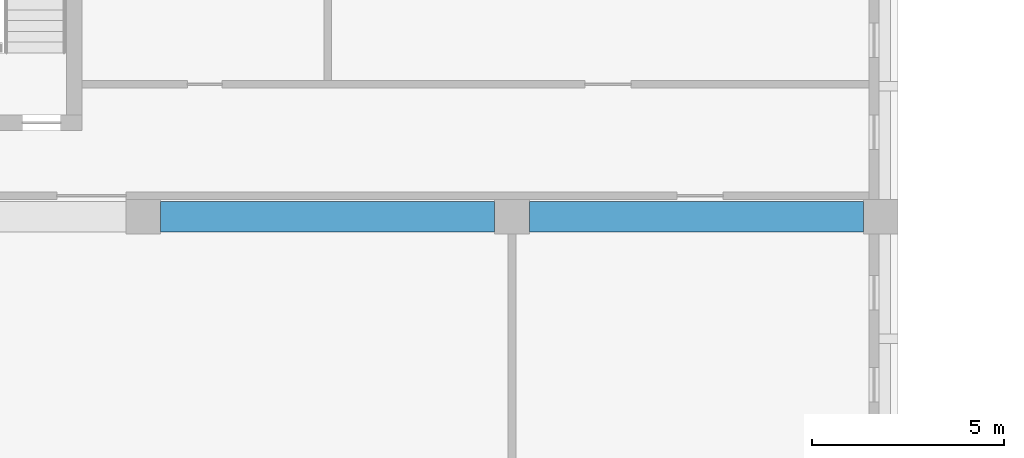
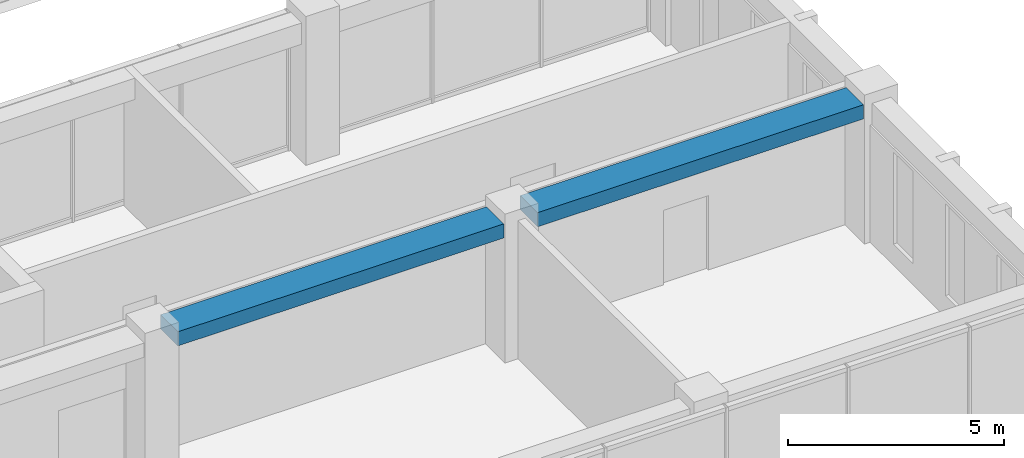
# One storey, part 13 of 37: 2 beams.
"""IFC4 building model written with IfcOpenShell, lengths in metres."""

from ifc_helpers import new_model, si_unit, direction, frame, origin, origin_2d, place, context, subcontext, project, spatial, rectangle, extrude, material, material_profile, profile_set, type_object, element, save


model = new_model("IFC4")

# Units and contexts
model_context = context("Model", 3, precision=1e-05, world=origin(), true_north=direction((0.0, 1.0)))
body_context = subcontext(model_context, "Body", "Model", "MODEL_VIEW")
ifc_project = project(units=[si_unit("LENGTHUNIT", "METRE"), si_unit("AREAUNIT", "SQUARE_METRE"), si_unit("VOLUMEUNIT", "CUBIC_METRE"), si_unit("PLANEANGLEUNIT", "RADIAN"), si_unit("MASSUNIT", "GRAM", prefix="KILO")], contexts=[model_context])

# Site, building, storey
site_placement = place(None, origin())
site = spatial("IfcSite", under=ifc_project, at=site_placement, CompositionType="ELEMENT")
building_placement = place(site_placement, origin())
building = spatial("IfcBuilding", under=site, at=building_placement, Name="Nzadi Deep Aquarium and Research Tower", CompositionType="ELEMENT")
storey_placement = place(building_placement, frame((0.0, 0.0, 57.10009765625)))
storey = spatial("IfcBuildingStorey", under=building, at=storey_placement, Name="L11", CompositionType="ELEMENT", Elevation=57.10009765625)

# Beams
ifc_material = material(Name="Concrete C35/45", Category="concrete")
ifc_material_profile = material_profile(ifc_material, rectangle(XDim=0.800048828125, YDim=0.39990234375, at=origin_2d()))
ifc_profile_set = profile_set([ifc_material_profile], Name="Concrete C35/45")
beam_type = type_object("IfcBeamType", Name="RC 800x400", PredefinedType="BEAM", material=ifc_profile_set)
for number, where, z_axis, x_axis, name in (
    (1, (29.25, 9.199951171875, 3.699951171875), (1.0, 0.0, 0.0), (0.0, 1.0, 0.0), "B-Z1-L11-L2-4"),
    (2, (38.85009765625, 9.199951171875, 3.699951171875), (1.0, 0.0, 0.0), (0.0, 1.0, 0.0), "B-Z1-L11-L2-5"),
):
    element("IfcBeam", number, at=place(storey_placement, frame(where, z_axis=z_axis, x_axis=x_axis)), inside=storey, type_object=beam_type, Name=name, PredefinedType="BEAM", context=body_context, shape_type="SweptSolid", body=[
        extrude(rectangle(XDim=0.800048828125, YDim=0.39990234375, at=origin_2d()), origin(), (0.0, 0.0, 1.0), 8.699951171875),
    ])

save(model, "model.ifc")
